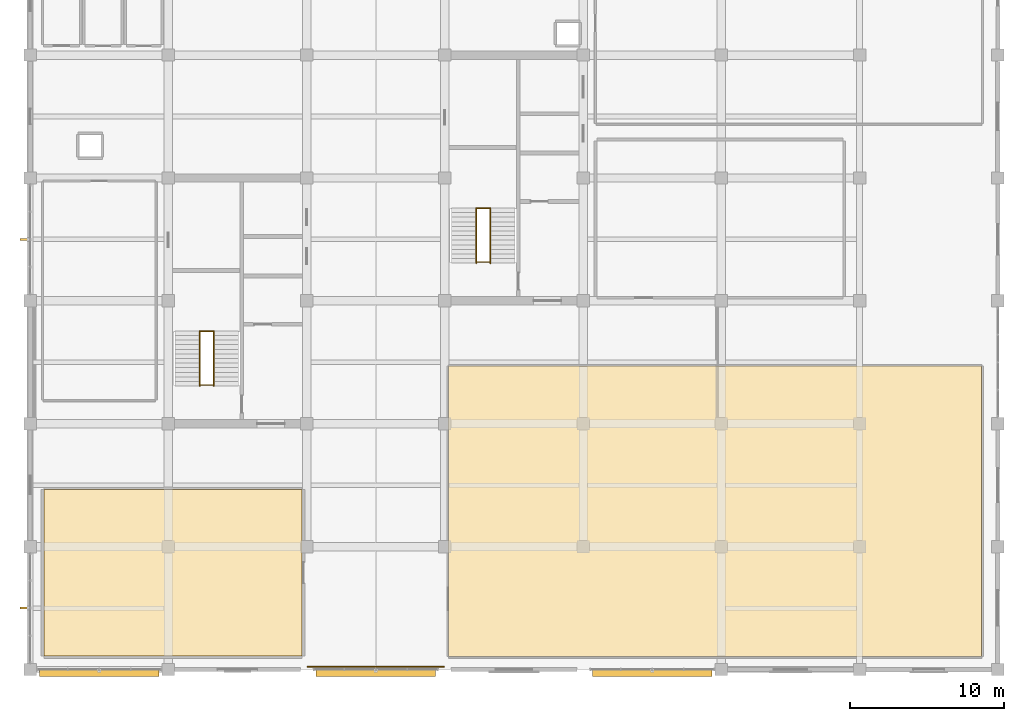
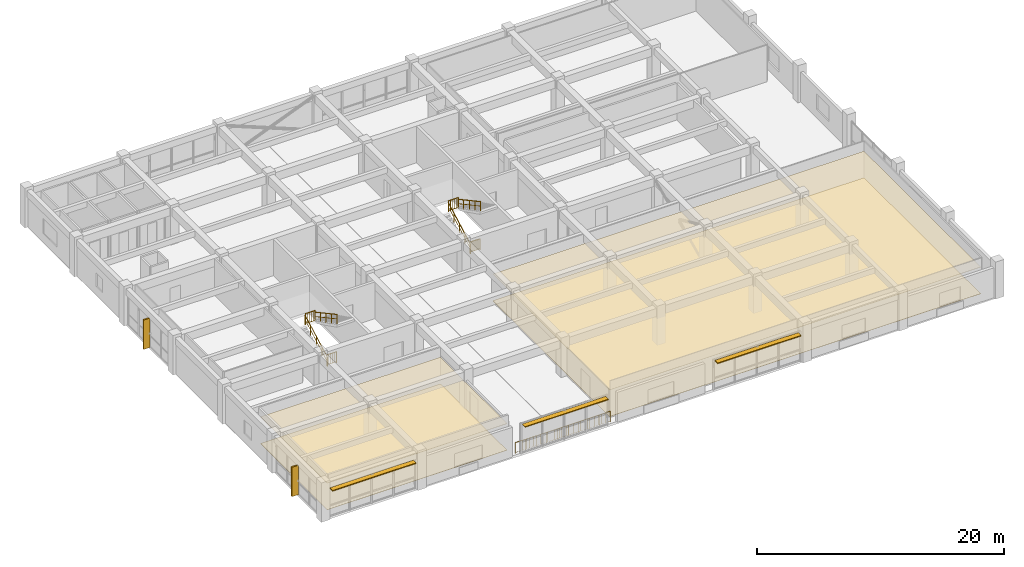
# One storey, part 16 of 16: 9 railings, 5 shading devices, 4 coverings.
"""IFC4 building model written with IfcOpenShell, lengths in metres."""

from ifc_helpers import new_model, si_unit, direction, frame, frame_2d, origin, origin_2d, place, context, subcontext, project, spatial, polyline, rectangle, circle, outline, extrude, material, layer, layer_set, type_object, element, save


model = new_model("IFC4")

# Units and contexts
model_context = context("Model", 3, precision=1e-05, world=origin(), true_north=direction((0.0, 1.0)))
body_context = subcontext(model_context, "Body", "Model", "MODEL_VIEW")
ifc_project = project(units=[si_unit("LENGTHUNIT", "METRE"), si_unit("AREAUNIT", "SQUARE_METRE"), si_unit("VOLUMEUNIT", "CUBIC_METRE"), si_unit("PLANEANGLEUNIT", "RADIAN"), si_unit("MASSUNIT", "GRAM", prefix="KILO")], contexts=[model_context])

# Site, building, storey
site_placement = place(None, origin())
site = spatial("IfcSite", under=ifc_project, at=site_placement, CompositionType="ELEMENT")
building_placement = place(site_placement, origin())
building = spatial("IfcBuilding", under=site, at=building_placement, Name="Zaverband Oceanarium and Marine Research Institute", CompositionType="ELEMENT")
storey_placement = place(building_placement, frame((0.0, 0.0, 41.39990234375)))
storey = spatial("IfcBuildingStorey", under=building, at=storey_placement, Name="L10", CompositionType="ELEMENT", Elevation=41.39990234375)

# Coverings
ifc_material_1 = material(Name="Perforated mineral-fibre acoustic ceiling tile")
ifc_layer_1 = layer(ifc_material_1, 0.02490234375, Name="Perforated mineral-fibre acoustic ceiling tile")
ifc_layer_set_1 = layer_set([ifc_layer_1], Name="Perforated mineral-fibre acoustic ceiling tile")
covering_type_1 = type_object("IfcCoveringType", Name="CLG-AC-15", PredefinedType="CEILING", material=ifc_layer_set_1)
covering_1_placement = place(storey_placement, frame((0.0, 0.0, 2.630126953125)))
element("IfcCovering", 1, at=covering_1_placement, inside=storey, type_object=covering_type_1, Name="Suspended acoustic ceiling CLG-AC-15", PredefinedType="CEILING", context=body_context, shape_type="SweptSolid", body=[
    extrude(outline(polyline([(9.889892578125, 64.889892578125), (26.7099609375, 64.889892578125), (26.7099609375, 75.7099609375), (9.889892578125, 75.7099609375), (9.889892578125, 64.889892578125)])), origin(), (0.0, 0.0, 1.0), 0.02490234375),
])
covering_2_placement = place(storey_placement, frame((0.0, 0.0, 2.630126953125)))
element("IfcCovering", 2, at=covering_2_placement, inside=storey, type_object=covering_type_1, Name="Suspended acoustic ceiling CLG-AC-15", PredefinedType="CEILING", context=body_context, shape_type="SweptSolid", body=[
    extrude(outline(polyline([(36.25, 64.85009765625), (70.949951171875, 64.85009765625), (70.949951171875, 83.75), (36.25, 83.75), (36.25, 64.85009765625)])), origin(), (0.0, 0.0, 1.0), 0.02490234375),
])
ifc_material_2 = material(Name="Polished marine terrazzo and seamless laboratory epoxy flooring")
ifc_layer_2 = layer(ifc_material_2, 0.02490234375, Name="Polished marine terrazzo and seamless laboratory epoxy flooring")
ifc_layer_set_2 = layer_set([ifc_layer_2], Name="Polished marine terrazzo and seamless laboratory epoxy flooring")
covering_type_2 = type_object("IfcCoveringType", Name="FLR-TRZ-20", PredefinedType="FLOORING", material=ifc_layer_set_2)
covering_3_placement = place(storey_placement, origin())
element("IfcCovering", 3, at=covering_3_placement, inside=storey, type_object=covering_type_2, Name="Terrazzo and marine epoxy floor finish FLR-TRZ-20", PredefinedType="FLOORING", context=body_context, shape_type="SweptSolid", body=[
    extrude(outline(polyline([(9.889892578125, 64.889892578125), (26.7099609375, 64.889892578125), (26.7099609375, 75.7099609375), (9.889892578125, 75.7099609375), (9.889892578125, 64.889892578125)])), origin(), (0.0, 0.0, 1.0), 0.025146484375),
])
covering_4_placement = place(storey_placement, origin())
element("IfcCovering", 4, at=covering_4_placement, inside=storey, type_object=covering_type_2, Name="Terrazzo and marine epoxy floor finish FLR-TRZ-20", PredefinedType="FLOORING", context=body_context, shape_type="SweptSolid", body=[
    extrude(outline(polyline([(36.25, 64.85009765625), (70.949951171875, 64.85009765625), (70.949951171875, 83.75), (36.25, 83.75), (36.25, 64.85009765625)])), origin(), (0.0, 0.0, 1.0), 0.025146484375),
])

# Railings
ifc_material_3 = material(Name="Steel S355", Category="steel")
ifc_layer_3 = layer(ifc_material_3, 0.06005859375, Name="Steel S355")
ifc_layer_set_3 = layer_set([ifc_layer_3], Name="Steel S355")
railing_type_1 = type_object("IfcRailingType", Name="GRD-1100", PredefinedType="BALUSTRADE", material=ifc_layer_set_3)
for number, where, name in (
    (5, (20.0400390625, 86.030029296875, 1.9501953125), "1100 mm steel post-and-baluster safety guard GRD-1100"),
    (6, (20.0400390625, 82.530029296875, 0.0), "1100 mm steel post-and-baluster safety guard GRD-1100"),
    (7, (38.0400390625, 94.030029296875, 1.9501953125), "1100 mm steel post-and-baluster safety guard GRD-1100"),
    (8, (38.0400390625, 90.530029296875, 0.0), "1100 mm steel post-and-baluster safety guard GRD-1100"),
):
    element("IfcRailing", number, at=place(storey_placement, frame(where)), inside=storey, type_object=railing_type_1, Name=name, PredefinedType="BALUSTRADE", context=body_context, shape_type="SweptSolid", body=[
        extrude(circle(Radius=0.02392578125, at=origin_2d()), frame((0.0, 0.0, 1.076171875), z_axis=(1.0, 0.0, 0.0), x_axis=(0.0, 1.0, 0.0)), (0.0, 0.0, 1.0), 0.919921875),
        extrude(circle(Radius=0.009033203125, at=origin_2d()), frame((0.0, 0.0, 0.10009765625), z_axis=(1.0, 0.0, 0.0), x_axis=(0.0, 1.0, 0.0)), (0.0, 0.0, 1.0), 0.919921875),
        extrude(circle(Radius=0.009033203125, at=origin_2d()), frame((0.18408203125, 0.0, 0.10009765625)), (0.0, 0.0, 1.0), 0.951904296875),
        extrude(circle(Radius=0.009033203125, at=origin_2d()), frame((0.367919921875, 0.0, 0.10009765625)), (0.0, 0.0, 1.0), 0.951904296875),
        extrude(circle(Radius=0.009033203125, at=origin_2d()), frame((0.552001953125, 0.0, 0.10009765625)), (0.0, 0.0, 1.0), 0.951904296875),
        extrude(circle(Radius=0.009033203125, at=origin_2d()), frame((0.73583984375, 0.0, 0.10009765625)), (0.0, 0.0, 1.0), 0.951904296875),
        extrude(circle(Radius=0.02099609375, at=origin_2d()), origin(), (0.0, 0.0, 1.0), 1.052001953125),
        extrude(circle(Radius=0.02099609375, at=origin_2d()), frame((0.919921875, 0.0, 0.0)), (0.0, 0.0, 1.0), 1.052001953125),
    ])
railing_1_placement = place(storey_placement, frame((27.050048828125, 64.179931640625, 0.0)))
element("IfcRailing", 9, at=railing_1_placement, inside=storey, type_object=railing_type_1, Name="1100 mm steel post-and-baluster safety guard GRD-1100", PredefinedType="BALUSTRADE", context=body_context, shape_type="SweptSolid", body=[
    extrude(circle(Radius=0.02392578125, at=origin_2d()), frame((0.0, 0.0, 1.076171875), z_axis=(1.0, 0.0, 0.0), x_axis=(0.0, 1.0, 0.0)), (0.0, 0.0, 1.0), 8.89990234375),
    extrude(circle(Radius=0.009033203125, at=origin_2d()), frame((0.0, 0.0, 0.10009765625), z_axis=(1.0, 0.0, 0.0), x_axis=(0.0, 1.0, 0.0)), (0.0, 0.0, 1.0), 8.89990234375),
    extrude(circle(Radius=0.009033203125, at=origin_2d()), frame((0.217041015625, 0.0, 0.10009765625)), (0.0, 0.0, 1.0), 0.951904296875),
    extrude(circle(Radius=0.009033203125, at=origin_2d()), frame((0.43408203125, 0.0, 0.10009765625)), (0.0, 0.0, 1.0), 0.951904296875),
    extrude(circle(Radius=0.009033203125, at=origin_2d()), frame((0.651123046875, 0.0, 0.10009765625)), (0.0, 0.0, 1.0), 0.951904296875),
    extrude(circle(Radius=0.009033203125, at=origin_2d()), frame((0.8681640625, 0.0, 0.10009765625)), (0.0, 0.0, 1.0), 0.951904296875),
    extrude(circle(Radius=0.009033203125, at=origin_2d()), frame((1.08544921875, 0.0, 0.10009765625)), (0.0, 0.0, 1.0), 0.951904296875),
    extrude(circle(Radius=0.009033203125, at=origin_2d()), frame((1.302490234375, 0.0, 0.10009765625)), (0.0, 0.0, 1.0), 0.951904296875),
    extrude(circle(Radius=0.009033203125, at=origin_2d()), frame((1.51953125, 0.0, 0.10009765625)), (0.0, 0.0, 1.0), 0.951904296875),
    extrude(circle(Radius=0.009033203125, at=origin_2d()), frame((1.736572265625, 0.0, 0.10009765625)), (0.0, 0.0, 1.0), 0.951904296875),
    extrude(circle(Radius=0.009033203125, at=origin_2d()), frame((1.95361328125, 0.0, 0.10009765625)), (0.0, 0.0, 1.0), 0.951904296875),
    extrude(circle(Radius=0.009033203125, at=origin_2d()), frame((2.170654296875, 0.0, 0.10009765625)), (0.0, 0.0, 1.0), 0.951904296875),
    extrude(circle(Radius=0.009033203125, at=origin_2d()), frame((2.3876953125, 0.0, 0.10009765625)), (0.0, 0.0, 1.0), 0.951904296875),
    extrude(circle(Radius=0.009033203125, at=origin_2d()), frame((2.604736328125, 0.0, 0.10009765625)), (0.0, 0.0, 1.0), 0.951904296875),
    extrude(circle(Radius=0.009033203125, at=origin_2d()), frame((2.822021484375, 0.0, 0.10009765625)), (0.0, 0.0, 1.0), 0.951904296875),
    extrude(circle(Radius=0.009033203125, at=origin_2d()), frame((3.0390625, 0.0, 0.10009765625)), (0.0, 0.0, 1.0), 0.951904296875),
    extrude(circle(Radius=0.009033203125, at=origin_2d()), frame((3.256103515625, 0.0, 0.10009765625)), (0.0, 0.0, 1.0), 0.951904296875),
    extrude(circle(Radius=0.009033203125, at=origin_2d()), frame((3.47314453125, 0.0, 0.10009765625)), (0.0, 0.0, 1.0), 0.951904296875),
    extrude(circle(Radius=0.009033203125, at=origin_2d()), frame((3.690185546875, 0.0, 0.10009765625)), (0.0, 0.0, 1.0), 0.951904296875),
    extrude(circle(Radius=0.009033203125, at=origin_2d()), frame((3.9072265625, 0.0, 0.10009765625)), (0.0, 0.0, 1.0), 0.951904296875),
    extrude(circle(Radius=0.009033203125, at=origin_2d()), frame((4.124267578125, 0.0, 0.10009765625)), (0.0, 0.0, 1.0), 0.951904296875),
    extrude(circle(Radius=0.009033203125, at=origin_2d()), frame((4.34130859375, 0.0, 0.10009765625)), (0.0, 0.0, 1.0), 0.951904296875),
    extrude(circle(Radius=0.009033203125, at=origin_2d()), frame((4.55859375, 0.0, 0.10009765625)), (0.0, 0.0, 1.0), 0.951904296875),
    extrude(circle(Radius=0.009033203125, at=origin_2d()), frame((4.775634765625, 0.0, 0.10009765625)), (0.0, 0.0, 1.0), 0.951904296875),
    extrude(circle(Radius=0.009033203125, at=origin_2d()), frame((4.99267578125, 0.0, 0.10009765625)), (0.0, 0.0, 1.0), 0.951904296875),
    extrude(circle(Radius=0.009033203125, at=origin_2d()), frame((5.209716796875, 0.0, 0.10009765625)), (0.0, 0.0, 1.0), 0.951904296875),
    extrude(circle(Radius=0.009033203125, at=origin_2d()), frame((5.4267578125, 0.0, 0.10009765625)), (0.0, 0.0, 1.0), 0.951904296875),
    extrude(circle(Radius=0.009033203125, at=origin_2d()), frame((5.643798828125, 0.0, 0.10009765625)), (0.0, 0.0, 1.0), 0.951904296875),
    extrude(circle(Radius=0.009033203125, at=origin_2d()), frame((5.86083984375, 0.0, 0.10009765625)), (0.0, 0.0, 1.0), 0.951904296875),
    extrude(circle(Radius=0.009033203125, at=origin_2d()), frame((6.077880859375, 0.0, 0.10009765625)), (0.0, 0.0, 1.0), 0.951904296875),
    extrude(circle(Radius=0.009033203125, at=origin_2d()), frame((6.295166015625, 0.0, 0.10009765625)), (0.0, 0.0, 1.0), 0.951904296875),
    extrude(circle(Radius=0.009033203125, at=origin_2d()), frame((6.51220703125, 0.0, 0.10009765625)), (0.0, 0.0, 1.0), 0.951904296875),
    extrude(circle(Radius=0.009033203125, at=origin_2d()), frame((6.729248046875, 0.0, 0.10009765625)), (0.0, 0.0, 1.0), 0.951904296875),
    extrude(circle(Radius=0.009033203125, at=origin_2d()), frame((6.9462890625, 0.0, 0.10009765625)), (0.0, 0.0, 1.0), 0.951904296875),
    extrude(circle(Radius=0.009033203125, at=origin_2d()), frame((7.163330078125, 0.0, 0.10009765625)), (0.0, 0.0, 1.0), 0.951904296875),
    extrude(circle(Radius=0.009033203125, at=origin_2d()), frame((7.38037109375, 0.0, 0.10009765625)), (0.0, 0.0, 1.0), 0.951904296875),
    extrude(circle(Radius=0.009033203125, at=origin_2d()), frame((7.597412109375, 0.0, 0.10009765625)), (0.0, 0.0, 1.0), 0.951904296875),
    extrude(circle(Radius=0.009033203125, at=origin_2d()), frame((7.814453125, 0.0, 0.10009765625)), (0.0, 0.0, 1.0), 0.951904296875),
    extrude(circle(Radius=0.009033203125, at=origin_2d()), frame((8.03173828125, 0.0, 0.10009765625)), (0.0, 0.0, 1.0), 0.951904296875),
    extrude(circle(Radius=0.009033203125, at=origin_2d()), frame((8.248779296875, 0.0, 0.10009765625)), (0.0, 0.0, 1.0), 0.951904296875),
    extrude(circle(Radius=0.009033203125, at=origin_2d()), frame((8.4658203125, 0.0, 0.10009765625)), (0.0, 0.0, 1.0), 0.951904296875),
    extrude(circle(Radius=0.009033203125, at=origin_2d()), frame((8.682861328125, 0.0, 0.10009765625)), (0.0, 0.0, 1.0), 0.951904296875),
    extrude(circle(Radius=0.02099609375, at=origin_2d()), origin(), (0.0, 0.0, 1.0), 1.052001953125),
    extrude(circle(Radius=0.02099609375, at=origin_2d()), frame((0.98876953125, 0.0, 0.0)), (0.0, 0.0, 1.0), 1.052001953125),
    extrude(circle(Radius=0.02099609375, at=origin_2d()), frame((1.977783203125, 0.0, 0.0)), (0.0, 0.0, 1.0), 1.052001953125),
    extrude(circle(Radius=0.02099609375, at=origin_2d()), frame((2.966552734375, 0.0, 0.0)), (0.0, 0.0, 1.0), 1.052001953125),
    extrude(circle(Radius=0.02099609375, at=origin_2d()), frame((3.95556640625, 0.0, 0.0)), (0.0, 0.0, 1.0), 1.052001953125),
    extrude(circle(Radius=0.02099609375, at=origin_2d()), frame((4.9443359375, 0.0, 0.0)), (0.0, 0.0, 1.0), 1.052001953125),
    extrude(circle(Radius=0.02099609375, at=origin_2d()), frame((5.933349609375, 0.0, 0.0)), (0.0, 0.0, 1.0), 1.052001953125),
    extrude(circle(Radius=0.02099609375, at=origin_2d()), frame((6.922119140625, 0.0, 0.0)), (0.0, 0.0, 1.0), 1.052001953125),
    extrude(circle(Radius=0.02099609375, at=origin_2d()), frame((7.9111328125, 0.0, 0.0)), (0.0, 0.0, 1.0), 1.052001953125),
    extrude(circle(Radius=0.02099609375, at=origin_2d()), frame((8.89990234375, 0.0, 0.0)), (0.0, 0.0, 1.0), 1.052001953125),
])
ifc_layer_4 = layer(ifc_material_3, 0.050048828125, Name="Steel S355")
ifc_layer_set_4 = layer_set([ifc_layer_4], Name="Steel S355")
railing_type_2 = type_object("IfcRailingType", Name="HR-920", PredefinedType="HANDRAIL", material=ifc_layer_set_4)
railing_2_placement = place(storey_placement, frame((20.0400390625, 82.449951171875, 0.0)))
element("IfcRailing", 10, at=railing_2_placement, inside=storey, type_object=railing_type_2, Name="920 mm continuous tubular stair and ramp handrail HR-920", PredefinedType="HANDRAIL", context=body_context, shape_type="SweptSolid", body=[
    extrude(circle(Radius=0.02392578125, at=origin_2d()), frame((0.0, 0.0, 0.89599609375), z_axis=(0.0, 0.879277399237, 0.476310041035), x_axis=(-1.0, 0.0, 0.0)), (0.0, 0.0, 1.0), 4.094482421875),
    extrude(circle(Radius=0.009033203125, at=origin_2d()), frame((0.0, 0.0, 0.4599609375), z_axis=(0.0, 0.879277399237, 0.476310041035), x_axis=(-1.0, 0.0, 0.0)), (0.0, 0.0, 1.0), 4.094482421875),
    extrude(circle(Radius=0.02099609375, at=origin_2d()), origin(), (0.0, 0.0, 1.0), 0.871826171875),
    extrude(circle(Radius=0.02099609375, at=origin_2d()), frame((0.0, 0.89990234375, 0.487548828125)), (0.0, 0.0, 1.0), 0.871826171875),
    extrude(circle(Radius=0.02099609375, at=origin_2d()), frame((0.0, 1.800048828125, 0.97509765625)), (0.0, 0.0, 1.0), 0.871826171875),
    extrude(circle(Radius=0.02099609375, at=origin_2d()), frame((0.0, 2.7001953125, 1.462646484375)), (0.0, 0.0, 1.0), 0.871826171875),
    extrude(circle(Radius=0.02099609375, at=origin_2d()), frame((0.0, 3.60009765625, 1.9501953125)), (0.0, 0.0, 1.0), 0.871826171875),
])
railing_3_placement = place(storey_placement, frame((20.9599609375, 86.050048828125, 1.9501953125)))
element("IfcRailing", 11, at=railing_3_placement, inside=storey, type_object=railing_type_2, Name="920 mm continuous tubular stair and ramp handrail HR-920", PredefinedType="HANDRAIL", context=body_context, shape_type="SweptSolid", body=[
    extrude(circle(Radius=0.02392578125, at=origin_2d()), frame((0.0, 0.0, 0.89599609375), z_axis=(0.0, -0.879302371543, 0.476263938798), x_axis=(1.0, 0.0, 0.0)), (0.0, 0.0, 1.0), 4.09423828125),
    extrude(circle(Radius=0.009033203125, at=origin_2d()), frame((0.0, 0.0, 0.4599609375), z_axis=(0.0, -0.879302371543, 0.476263938798), x_axis=(1.0, 0.0, 0.0)), (0.0, 0.0, 1.0), 4.09423828125),
    extrude(circle(Radius=0.02099609375, at=origin_2d()), origin(), (0.0, 0.0, 1.0), 0.871826171875),
    extrude(circle(Radius=0.02099609375, at=origin_2d()), frame((0.0, -0.89990234375, 0.487548828125)), (0.0, 0.0, 1.0), 0.871826171875),
    extrude(circle(Radius=0.02099609375, at=origin_2d()), frame((0.0, -1.800048828125, 0.97509765625)), (0.0, 0.0, 1.0), 0.871826171875),
    extrude(circle(Radius=0.02099609375, at=origin_2d()), frame((0.0, -2.7001953125, 1.46240234375)), (0.0, 0.0, 1.0), 0.871826171875),
    extrude(circle(Radius=0.02099609375, at=origin_2d()), frame((0.0, -3.60009765625, 1.949951171875)), (0.0, 0.0, 1.0), 0.871826171875),
])
railing_4_placement = place(storey_placement, frame((38.0400390625, 90.449951171875, 0.0)))
element("IfcRailing", 12, at=railing_4_placement, inside=storey, type_object=railing_type_2, Name="920 mm continuous tubular stair and ramp handrail HR-920", PredefinedType="HANDRAIL", context=body_context, shape_type="SweptSolid", body=[
    extrude(circle(Radius=0.02392578125, at=origin_2d()), frame((0.0, 0.0, 0.89599609375), z_axis=(0.0, 0.879277399237, 0.476310041035), x_axis=(-1.0, 0.0, 0.0)), (0.0, 0.0, 1.0), 4.094482421875),
    extrude(circle(Radius=0.009033203125, at=origin_2d()), frame((0.0, 0.0, 0.4599609375), z_axis=(0.0, 0.879277399237, 0.476310041035), x_axis=(-1.0, 0.0, 0.0)), (0.0, 0.0, 1.0), 4.094482421875),
    extrude(circle(Radius=0.02099609375, at=origin_2d()), origin(), (0.0, 0.0, 1.0), 0.871826171875),
    extrude(circle(Radius=0.02099609375, at=origin_2d()), frame((0.0, 0.89990234375, 0.487548828125)), (0.0, 0.0, 1.0), 0.871826171875),
    extrude(circle(Radius=0.02099609375, at=origin_2d()), frame((0.0, 1.800048828125, 0.97509765625)), (0.0, 0.0, 1.0), 0.871826171875),
    extrude(circle(Radius=0.02099609375, at=origin_2d()), frame((0.0, 2.7001953125, 1.462646484375)), (0.0, 0.0, 1.0), 0.871826171875),
    extrude(circle(Radius=0.02099609375, at=origin_2d()), frame((0.0, 3.60009765625, 1.9501953125)), (0.0, 0.0, 1.0), 0.871826171875),
])
railing_5_placement = place(storey_placement, frame((38.9599609375, 94.050048828125, 1.9501953125)))
element("IfcRailing", 13, at=railing_5_placement, inside=storey, type_object=railing_type_2, Name="920 mm continuous tubular stair and ramp handrail HR-920", PredefinedType="HANDRAIL", context=body_context, shape_type="SweptSolid", body=[
    extrude(circle(Radius=0.02392578125, at=origin_2d()), frame((0.0, 0.0, 0.89599609375), z_axis=(0.0, -0.879302371543, 0.476263938798), x_axis=(1.0, 0.0, 0.0)), (0.0, 0.0, 1.0), 4.09423828125),
    extrude(circle(Radius=0.009033203125, at=origin_2d()), frame((0.0, 0.0, 0.4599609375), z_axis=(0.0, -0.879302371543, 0.476263938798), x_axis=(1.0, 0.0, 0.0)), (0.0, 0.0, 1.0), 4.09423828125),
    extrude(circle(Radius=0.02099609375, at=origin_2d()), origin(), (0.0, 0.0, 1.0), 0.871826171875),
    extrude(circle(Radius=0.02099609375, at=origin_2d()), frame((0.0, -0.89990234375, 0.487548828125)), (0.0, 0.0, 1.0), 0.871826171875),
    extrude(circle(Radius=0.02099609375, at=origin_2d()), frame((0.0, -1.800048828125, 0.97509765625)), (0.0, 0.0, 1.0), 0.871826171875),
    extrude(circle(Radius=0.02099609375, at=origin_2d()), frame((0.0, -2.7001953125, 1.46240234375)), (0.0, 0.0, 1.0), 0.871826171875),
    extrude(circle(Radius=0.02099609375, at=origin_2d()), frame((0.0, -3.60009765625, 1.949951171875)), (0.0, 0.0, 1.0), 0.871826171875),
])

# Shading devices
ifc_material_4 = material(Name="Concrete C40/50 precast brise-soleil", Category="concrete")
ifc_layer_5 = layer(ifc_material_4, 0.139892578125, Name="Concrete C40/50 precast brise-soleil")
ifc_layer_set_5 = layer_set([ifc_layer_5], Name="Concrete C40/50 precast brise-soleil")
shading_device_type_1 = type_object("IfcShadingDeviceType", Name="SHD-FIN-600", PredefinedType="JALOUSIE", material=ifc_layer_set_5)
for number, where, z_axis, x_axis, name in (
    (14, (8.93994140625, 68.0, 0.0), (0.0, 0.0, 1.0), (-1.0, 0.0, 0.0), "600 mm vertical precast brise-soleil fin SHD-FIN-600"),
    (15, (8.93994140625, 92.0, 0.0), (0.0, 0.0, 1.0), (-1.0, 0.0, 0.0), "600 mm vertical precast brise-soleil fin SHD-FIN-600"),
):
    element("IfcShadingDevice", number, at=place(storey_placement, frame(where, z_axis=z_axis, x_axis=x_axis)), inside=storey, type_object=shading_device_type_1, Name=name, PredefinedType="JALOUSIE", context=body_context, shape_type="SweptSolid", body=[
        extrude(rectangle(XDim=0.599853515625, YDim=0.139892578125, at=frame_2d((0.2998046875, 0.0))), origin(), (0.0, 0.0, 1.0), 2.900146484375),
    ])
ifc_material_5 = material(Name="Anodized bronze marine-grade aluminium", Category="aluminium")
ifc_layer_6 = layer(ifc_material_5, 0.080078125, Name="Anodized bronze marine-grade aluminium")
ifc_layer_set_6 = layer_set([ifc_layer_6], Name="Anodized bronze marine-grade aluminium")
shading_device_type_2 = type_object("IfcShadingDeviceType", Name="SHD-LVR-450", PredefinedType="USERDEFINED", material=ifc_layer_set_6)
for number, where, z_axis, x_axis, name in (
    (16, (9.60498046875, 63.760009765625, 2.77001953125), (0.0, 0.0, 1.0), (1.0, 0.0, 0.0), "450 mm horizontal solar shading louvre SHD-LVR-450"),
    (17, (27.60498046875, 63.760009765625, 2.77001953125), (0.0, 0.0, 1.0), (1.0, 0.0, 0.0), "450 mm horizontal solar shading louvre SHD-LVR-450"),
    (18, (45.60498046875, 63.760009765625, 2.77001953125), (0.0, 0.0, 1.0), (1.0, 0.0, 0.0), "450 mm horizontal solar shading louvre SHD-LVR-450"),
):
    element("IfcShadingDevice", number, at=place(storey_placement, frame(where, z_axis=z_axis, x_axis=x_axis)), inside=storey, type_object=shading_device_type_2, Name=name, ObjectType="LOUVRE", PredefinedType="USERDEFINED", context=body_context, shape_type="SweptSolid", body=[
        extrude(rectangle(XDim=7.7900390625, YDim=0.449951171875, at=frame_2d((3.89501953125, 0.0))), origin(), (0.0, 0.0, 1.0), 0.080078125),
    ])

save(model, "model.ifc")
